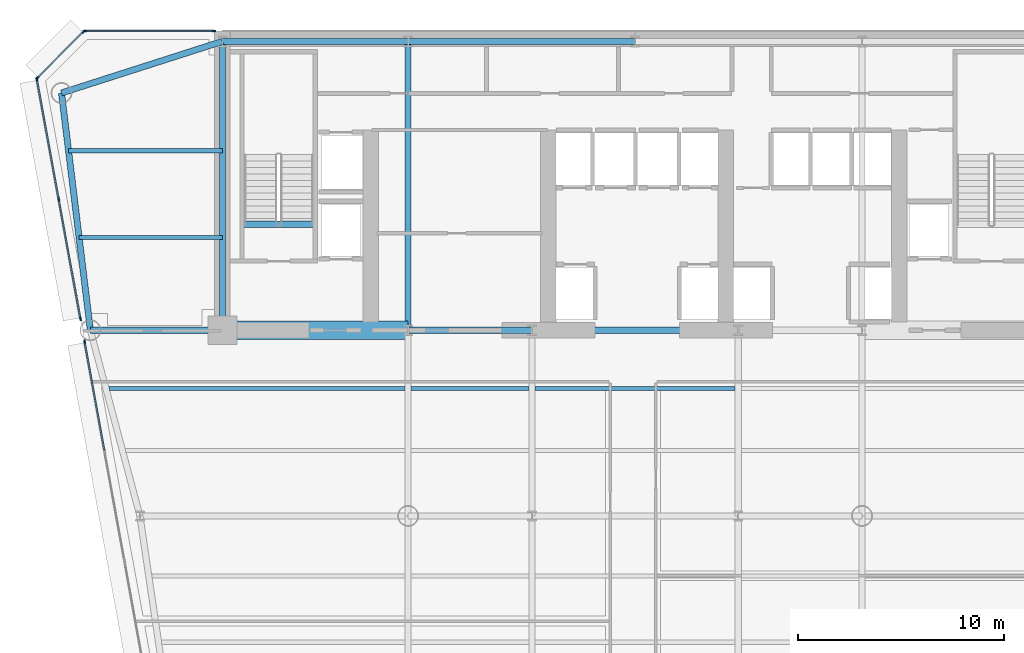
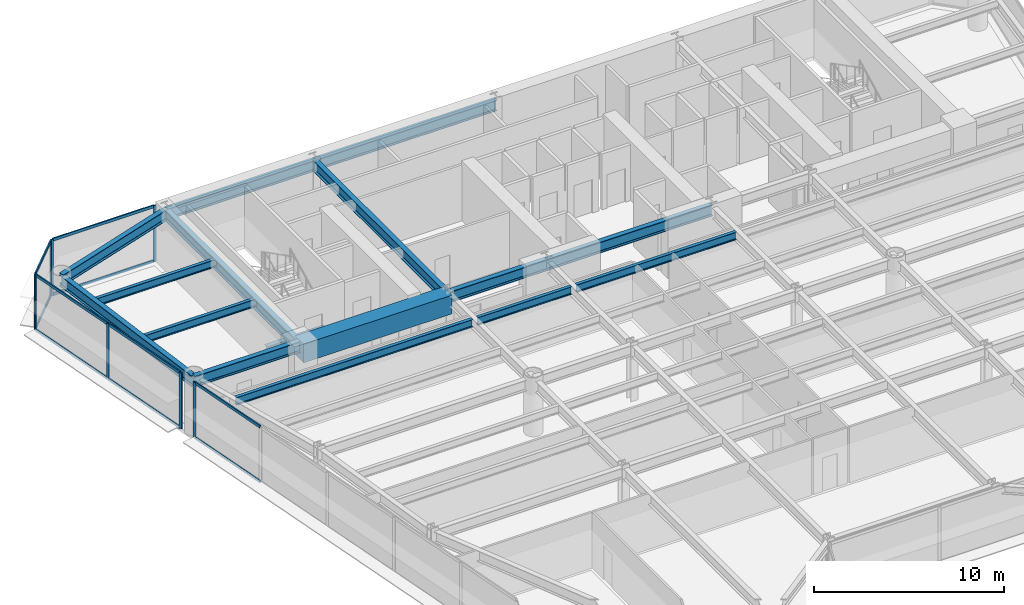
# One storey, part 5 of 14: 18 members, 16 beams, 4 elements without a shape of their own.
"""IFC4 building model written with IfcOpenShell, lengths in metres."""

from ifc_helpers import new_model, si_unit, direction, frame, origin, origin_2d, place, context, subcontext, project, spatial, rectangle, i_section, extrude, source, transform, mapped, material, layer, layer_set, material_profile, profile_set, type_object, element, aggregate, save


model = new_model("IFC4")

# Units and contexts
model_context = context("Model", 3, precision=1e-05, world=origin(), true_north=direction((0.0, 1.0)))
body_context = subcontext(model_context, "Body", "Model", "MODEL_VIEW")
ifc_project = project(units=[si_unit("LENGTHUNIT", "METRE"), si_unit("AREAUNIT", "SQUARE_METRE"), si_unit("VOLUMEUNIT", "CUBIC_METRE"), si_unit("PLANEANGLEUNIT", "RADIAN"), si_unit("MASSUNIT", "GRAM", prefix="KILO")], contexts=[model_context])

# Site, building, storey
site_placement = place(None, origin())
site = spatial("IfcSite", under=ifc_project, at=site_placement, CompositionType="ELEMENT")
building_placement = place(site_placement, origin())
building = spatial("IfcBuilding", under=site, at=building_placement, Name="Vaeldorn Concourse Tower", CompositionType="ELEMENT")
storey_placement = place(building_placement, frame((0.0, 0.0, 118.60009765625)))
storey = spatial("IfcBuildingStorey", under=building, at=storey_placement, Name="L30", CompositionType="ELEMENT", Elevation=118.60009765625)

# Beams
ifc_material_1 = material(Name="Concrete C60/75", Category="concrete")
ifc_material_profile_1 = material_profile(ifc_material_1, rectangle(XDim=0.89990234375, YDim=1.199951171875, at=origin_2d()), Name="RC 900x1200")
ifc_profile_set_1 = profile_set([ifc_material_profile_1], Name="Concrete C60/75")
beam_type_1 = type_object("IfcBeamType", Name="BM-CB-RC900", PredefinedType="BEAM", material=ifc_profile_set_1)
shared_shape_1 = source(origin(), body_context, "Body", "SweptSolid", [
    extrude(rectangle(XDim=0.89990234375, YDim=1.199951171875, at=origin_2d()), origin(), (0.0, 0.0, 1.0), 9.0),
])
beam_1_placement = place(storey_placement, frame((14.0, 36.5, 2.97998046875), z_axis=(1.0, 0.0, 0.0), x_axis=(0.0, 1.0, 0.0)))
element("IfcBeam", 1, at=beam_1_placement, inside=storey, type_object=beam_type_1, Name="Core Coupling Beam L30-1", PredefinedType="BEAM", context=body_context, shape_type="MappedRepresentation", body=[
    mapped(shared_shape_1, transform((0.0, 0.0, 0.0), scale=1.0)),
])
ifc_material_2 = material(Name="Steel S355", Category="steel")
ifc_material_profile_2 = material_profile(ifc_material_2, i_section(OverallWidth=0.300048828125, OverallDepth=0.340087890625, WebThickness=0.011962890625, FlangeThickness=0.021484375, FilletRadius=0.027099609375, at=origin_2d()), Name="HEB 340")
ifc_profile_set_2 = profile_set([ifc_material_profile_2], Name="Steel S355")
beam_type_2 = type_object("IfcBeamType", Name="BM-ST-TRIM", PredefinedType="BEAM", material=ifc_profile_set_2)
shared_shape_2 = source(origin(), body_context, "Body", "SweptSolid", [
    extrude(i_section(OverallWidth=0.300048828125, OverallDepth=0.340087890625, WebThickness=0.011962890625, FlangeThickness=0.021484375, FilletRadius=0.027099609375, at=origin_2d()), origin(), (0.0, 0.0, 1.0), 3.590087890625),
])
beam_2_placement = place(storey_placement, frame((14.929931640625, 41.639892578125, -0.39013671875), z_axis=(1.0, 0.0, 0.0), x_axis=(0.0, 1.0, 0.0)))
element("IfcBeam", 2, at=beam_2_placement, inside=storey, type_object=beam_type_2, Name="Stair Landing Trimmer Beam ST-1 L30", PredefinedType="BEAM", context=body_context, shape_type="MappedRepresentation", body=[
    mapped(shared_shape_2, transform((0.0, 0.0, 0.0), scale=1.0)),
])
ifc_material_profile_3 = material_profile(ifc_material_2, i_section(OverallWidth=0.199951171875, OverallDepth=0.5, WebThickness=0.01025390625, FlangeThickness=0.01611328125, FilletRadius=0.02099609375, at=origin_2d()), Name="IPE 500")
ifc_profile_set_3 = profile_set([ifc_material_profile_3], Name="Steel S355")
beam_type_3 = type_object("IfcBeamType", Name="BM-JS-IPE500", PredefinedType="JOIST", material=ifc_profile_set_3)
shared_shape_3 = source(origin(), body_context, "Body", "SweptSolid", [
    extrude(i_section(OverallWidth=0.199951171875, OverallDepth=0.5, WebThickness=0.01025390625, FlangeThickness=0.01611328125, FilletRadius=0.02099609375, at=origin_2d()), origin(), (0.0, 0.0, 1.0), 5.7001953125),
])
beam_3_placement = place(storey_placement, frame((23.14990234375, 33.679931640625, 3.329833984375), z_axis=(1.0, 0.0, 0.0), x_axis=(0.0, 1.0, 0.0)))
element("IfcBeam", 3, at=beam_3_placement, inside=storey, type_object=beam_type_3, Name="Beam JS-L30-W2-336", PredefinedType="JOIST", context=body_context, shape_type="MappedRepresentation", body=[
    mapped(shared_shape_3, transform((0.0, 0.0, 0.0), scale=1.0)),
])
shared_shape_4 = source(origin(), body_context, "Body", "SweptSolid", [
    extrude(i_section(OverallWidth=0.199951171875, OverallDepth=0.5, WebThickness=0.01025390625, FlangeThickness=0.01611328125, FilletRadius=0.02099609375, at=origin_2d()), origin(), (0.0, 0.0, 1.0), 9.7001953125),
])
beam_4_placement = place(storey_placement, frame((29.14990234375, 33.679931640625, 3.329833984375), z_axis=(1.0, 0.0, 0.0), x_axis=(0.0, 1.0, 0.0)))
element("IfcBeam", 4, at=beam_4_placement, inside=storey, type_object=beam_type_3, Name="Beam JS-L30-C-336", PredefinedType="JOIST", context=body_context, shape_type="MappedRepresentation", body=[
    mapped(shared_shape_4, transform((0.0, 0.0, 0.0), scale=1.0)),
])
shared_shape_5 = source(origin(), body_context, "Body", "SweptSolid", [
    extrude(i_section(OverallWidth=0.199951171875, OverallDepth=0.5, WebThickness=0.01025390625, FlangeThickness=0.01611328125, FilletRadius=0.02099609375, at=origin_2d()), origin(), (0.0, 0.0, 1.0), 6.94775390625),
])
beam_5_placement = place(storey_placement, frame((7.05224609375, 41.0, 3.329833984375), z_axis=(1.0, 0.0, 0.0), x_axis=(0.0, 1.0, 0.0)))
element("IfcBeam", 5, at=beam_5_placement, inside=storey, type_object=beam_type_3, Name="Beam JS-L30-NW-410", PredefinedType="JOIST", context=body_context, shape_type="MappedRepresentation", body=[
    mapped(shared_shape_5, transform((0.0, 0.0, 0.0), scale=1.0)),
])
shared_shape_6 = source(origin(), body_context, "Body", "SweptSolid", [
    extrude(i_section(OverallWidth=0.199951171875, OverallDepth=0.5, WebThickness=0.01025390625, FlangeThickness=0.01611328125, FilletRadius=0.02099609375, at=origin_2d()), origin(), (0.0, 0.0, 1.0), 7.458984375),
])
beam_6_placement = place(storey_placement, frame((6.541015625, 45.199951171875, 3.329833984375), z_axis=(1.0, 0.0, 0.0), x_axis=(0.0, 1.0, 0.0)))
element("IfcBeam", 6, at=beam_6_placement, inside=storey, type_object=beam_type_3, Name="Beam JS-L30-NW-452", PredefinedType="JOIST", context=body_context, shape_type="MappedRepresentation", body=[
    mapped(shared_shape_6, transform((0.0, 0.0, 0.0), scale=1.0)),
])
shared_shape_7 = source(origin(), body_context, "Body", "SweptSolid", [
    extrude(i_section(OverallWidth=0.199951171875, OverallDepth=0.5, WebThickness=0.01025390625, FlangeThickness=0.01611328125, FilletRadius=0.02099609375, at=origin_2d()), origin(), (0.0, 0.0, 1.0), 14.34814453125),
])
beam_7_placement = place(storey_placement, frame((8.501953125, 33.679931640625, 3.329833984375), z_axis=(1.0, 0.0, 0.0), x_axis=(0.0, 1.0, 0.0)))
element("IfcBeam", 7, at=beam_7_placement, inside=storey, type_object=beam_type_3, Name="Beam JS-L30-W1-336", PredefinedType="JOIST", context=body_context, shape_type="MappedRepresentation", body=[
    mapped(shared_shape_7, transform((0.0, 0.0, 0.0), scale=1.0)),
])
ifc_material_profile_4 = material_profile(ifc_material_2, i_section(OverallWidth=0.300048828125, OverallDepth=0.699951171875, WebThickness=0.01708984375, FlangeThickness=0.031982421875, FilletRadius=0.027099609375, at=origin_2d()), Name="HEB 700")
ifc_profile_set_4 = profile_set([ifc_material_profile_4], Name="Steel S355")
beam_type_4 = type_object("IfcBeamType", Name="BM-PG-HEB700", PredefinedType="BEAM", material=ifc_profile_set_4)
shared_shape_8 = source(origin(), body_context, "Body", "SweptSolid", [
    extrude(i_section(OverallWidth=0.300048828125, OverallDepth=0.699951171875, WebThickness=0.01708984375, FlangeThickness=0.031982421875, FilletRadius=0.027099609375, at=origin_2d()), origin(), (0.0, 0.0, 1.0), 6.0),
])
beam_8_placement = place(storey_placement, frame((23.0, 36.5, 3.22998046875), z_axis=(1.0, 0.0, 0.0), x_axis=(0.0, 1.0, 0.0)))
element("IfcBeam", 8, at=beam_8_placement, inside=storey, type_object=beam_type_4, Name="Beam BM-L30-C-FC2-C-FC3", PredefinedType="BEAM", context=body_context, shape_type="MappedRepresentation", body=[
    mapped(shared_shape_8, transform((0.0, 0.0, 0.0), scale=1.0)),
])
shared_shape_9 = source(origin(), body_context, "Body", "SweptSolid", [
    extrude(i_section(OverallWidth=0.300048828125, OverallDepth=0.699951171875, WebThickness=0.01708984375, FlangeThickness=0.031982421875, FilletRadius=0.027099609375, at=origin_2d()), origin(), (0.0, 0.0, 1.0), 10.0),
])
beam_9_placement = place(storey_placement, frame((29.0, 36.5, 3.22998046875), z_axis=(1.0, 0.0, 0.0), x_axis=(0.0, 1.0, 0.0)))
element("IfcBeam", 9, at=beam_9_placement, inside=storey, type_object=beam_type_4, Name="Beam BM-L30-C-FC3-C-FC4", PredefinedType="BEAM", context=body_context, shape_type="MappedRepresentation", body=[
    mapped(shared_shape_9, transform((0.0, 0.0, 0.0), scale=1.0)),
])
shared_shape_10 = source(origin(), body_context, "Body", "SweptSolid", [
    extrude(i_section(OverallWidth=0.300048828125, OverallDepth=0.699951171875, WebThickness=0.01708984375, FlangeThickness=0.031982421875, FilletRadius=0.027099609375, at=origin_2d()), origin(), (0.0, 0.0, 1.0), 9.0),
])
beam_10_placement = place(storey_placement, frame((14.0, 50.5, 3.22998046875), z_axis=(1.0, 0.0, 0.0), x_axis=(0.0, 1.0, 0.0)))
element("IfcBeam", 10, at=beam_10_placement, inside=storey, type_object=beam_type_4, Name="Beam BM-L30-C-HC1-C-HC2", PredefinedType="BEAM", context=body_context, shape_type="MappedRepresentation", body=[
    mapped(shared_shape_10, transform((0.0, 0.0, 0.0), scale=1.0)),
])
shared_shape_11 = source(origin(), body_context, "Body", "SweptSolid", [
    extrude(i_section(OverallWidth=0.300048828125, OverallDepth=0.699951171875, WebThickness=0.01708984375, FlangeThickness=0.031982421875, FilletRadius=0.027099609375, at=origin_2d()), origin(), (0.0, 0.0, 1.0), 11.0),
])
beam_11_placement = place(storey_placement, frame((23.0, 50.5, 3.22998046875), z_axis=(1.0, 0.0, 0.0), x_axis=(0.0, 1.0, 0.0)))
element("IfcBeam", 11, at=beam_11_placement, inside=storey, type_object=beam_type_4, Name="Beam BM-L30-C-HC2-C-HC3", PredefinedType="BEAM", context=body_context, shape_type="MappedRepresentation", body=[
    mapped(shared_shape_11, transform((0.0, 0.0, 0.0), scale=1.0)),
])
shared_shape_12 = source(origin(), body_context, "Body", "SweptSolid", [
    extrude(i_section(OverallWidth=0.300048828125, OverallDepth=0.699951171875, WebThickness=0.01708984375, FlangeThickness=0.031982421875, FilletRadius=0.027099609375, at=origin_2d()), origin(), (0.0, 0.0, 1.0), 14.0),
])
for number, where, z_axis, x_axis, name in (
    (12, (14.0, 36.5, 3.22998046875), (0.0, 1.0, 0.0), (-1.0, 0.0, 0.0), "Beam BM-L30-C-FC1-C-HC1"),
    (13, (23.0, 36.5, 3.22998046875), (0.0, 1.0, 0.0), (-1.0, 0.0, 0.0), "Beam BM-L30-C-FC2-C-HC2"),
):
    element("IfcBeam", number, at=place(storey_placement, frame(where, z_axis=z_axis, x_axis=x_axis)), inside=storey, type_object=beam_type_4, Name=name, PredefinedType="BEAM", context=body_context, shape_type="MappedRepresentation", body=[
        mapped(shared_shape_12, transform((0.0, 0.0, 0.0), scale=1.0)),
    ])
shared_shape_13 = source(origin(), body_context, "Body", "SweptSolid", [
    extrude(i_section(OverallWidth=0.300048828125, OverallDepth=0.699951171875, WebThickness=0.01708984375, FlangeThickness=0.031982421875, FilletRadius=0.027099609375, at=origin_2d()), origin(), (0.0, 0.0, 1.0), 8.19091796875),
])
beam_12_placement = place(storey_placement, frame((6.199951171875, 48.0, 3.22998046875), z_axis=(0.952282843383, 0.305216949396, 0.0), x_axis=(-0.305216949396, 0.952282843383, 0.0)))
element("IfcBeam", 14, at=beam_12_placement, inside=storey, type_object=beam_type_4, Name="Beam BM-L30-C-NW1-C-HC1", PredefinedType="BEAM", context=body_context, shape_type="MappedRepresentation", body=[
    mapped(shared_shape_13, transform((0.0, 0.0, 0.0), scale=1.0)),
])
shared_shape_14 = source(origin(), body_context, "Body", "SweptSolid", [
    extrude(i_section(OverallWidth=0.300048828125, OverallDepth=0.699951171875, WebThickness=0.01708984375, FlangeThickness=0.031982421875, FilletRadius=0.027099609375, at=origin_2d()), origin(), (0.0, 0.0, 1.0), 11.5849609375),
])
beam_13_placement = place(storey_placement, frame((6.199951171875, 48.0, 3.22998046875), z_axis=(0.120859382899, -0.992669637677, 0.0), x_axis=(0.992669637677, 0.120859382899, 0.0)))
element("IfcBeam", 15, at=beam_13_placement, inside=storey, type_object=beam_type_4, Name="Beam BM-L30-C-NW1-C-NW2", PredefinedType="BEAM", context=body_context, shape_type="MappedRepresentation", body=[
    mapped(shared_shape_14, transform((0.0, 0.0, 0.0), scale=1.0)),
])
shared_shape_15 = source(origin(), body_context, "Body", "SweptSolid", [
    extrude(i_section(OverallWidth=0.300048828125, OverallDepth=0.699951171875, WebThickness=0.01708984375, FlangeThickness=0.031982421875, FilletRadius=0.027099609375, at=origin_2d()), origin(), (0.0, 0.0, 1.0), 6.39990234375),
])
beam_14_placement = place(storey_placement, frame((7.60009765625, 36.5, 3.22998046875), z_axis=(1.0, 0.0, 0.0), x_axis=(0.0, 1.0, 0.0)))
element("IfcBeam", 16, at=beam_14_placement, inside=storey, type_object=beam_type_4, Name="Beam BM-L30-C-NW2-C-FC1", PredefinedType="BEAM", context=body_context, shape_type="MappedRepresentation", body=[
    mapped(shared_shape_15, transform((0.0, 0.0, 0.0), scale=1.0)),
])

# Curtain wall, members
ifc_material_3 = material(Name="Anodised Bronze Aluminium", Category="aluminium")
ifc_layer = layer(ifc_material_3, 0.199951171875)
ifc_layer_set = layer_set([ifc_layer], Name="Anodised Bronze Aluminium")
curtain_wall_type = type_object("IfcCurtainWallType", Name="CW-SYS-02", PredefinedType="NOTDEFINED", material=ifc_layer_set)
curtain_wall_1_placement = place(storey_placement, origin())
curtain_wall_1 = element("IfcCurtainWall", 17, at=curtain_wall_1_placement, inside=storey, type_object=curtain_wall_type, Name="Unitised Curtain Wall CW-L30-E10-1", PredefinedType="NOTDEFINED")
ifc_material_profile_5 = material_profile(ifc_material_3, rectangle(XDim=0.074951171875, YDim=0.179931640625, at=origin_2d()), Name="CWT 75x180")
ifc_profile_set_5 = profile_set([ifc_material_profile_5], Name="Anodised Bronze Aluminium")
member_type_1 = type_object("IfcMemberType", Name="CWT-BRONZE-180", PredefinedType="USERDEFINED", material=ifc_profile_set_5)
shared_shape_16 = source(origin(), body_context, "Body", "SweptSolid", [
    extrude(rectangle(XDim=0.074951171875, YDim=0.179931640625, at=origin_2d()), origin(), (0.0, 0.0, 1.0), 3.10302734375),
])
member_1_placement = place(storey_placement, frame((7.2470703125, 50.947021484375, 0.037353515625), z_axis=(-0.707106781187, -0.707106781187, 0.0), x_axis=(0.707106781187, -0.707106781187, 0.0)))
member_1 = element("IfcMember", 18, at=member_1_placement, type_object=member_type_1, Name="CW-02 transom 1.1", ObjectType="TRANSOM", PredefinedType="USERDEFINED", context=body_context, shape_type="MappedRepresentation", body=[
    mapped(shared_shape_16, transform((0.0, 0.0, 0.0), scale=1.0)),
])
member_2_placement = place(storey_placement, frame((7.2470703125, 50.947021484375, 3.54248046875), z_axis=(-0.707106781187, -0.707106781187, 0.0), x_axis=(0.707106781187, -0.707106781187, 0.0)))
member_2 = element("IfcMember", 19, at=member_2_placement, type_object=member_type_1, Name="CW-02 transom 1.2", ObjectType="TRANSOM", PredefinedType="USERDEFINED", context=body_context, shape_type="MappedRepresentation", body=[
    mapped(shared_shape_16, transform((0.0, 0.0, 0.0), scale=1.0)),
])

curtain_wall_2_placement = place(storey_placement, origin())
curtain_wall_2 = element("IfcCurtainWall", 20, at=curtain_wall_2_placement, inside=storey, type_object=curtain_wall_type, Name="Unitised Curtain Wall CW-L30-E09-2", PredefinedType="NOTDEFINED")
shared_shape_17 = source(origin(), body_context, "Body", "SweptSolid", [
    extrude(rectangle(XDim=0.074951171875, YDim=0.179931640625, at=origin_2d()), origin(), (0.0, 0.0, 1.0), 6.179931640625),
])
member_3_placement = place(storey_placement, frame((13.554931640625, 51.0, 0.037353515625), z_axis=(-1.0, 0.0, 0.0), x_axis=(0.0, -1.0, 0.0)))
member_3 = element("IfcMember", 21, at=member_3_placement, type_object=member_type_1, Name="CW-02 transom 1.1", ObjectType="TRANSOM", PredefinedType="USERDEFINED", context=body_context, shape_type="MappedRepresentation", body=[
    mapped(shared_shape_17, transform((0.0, 0.0, 0.0), scale=1.0)),
])
member_4_placement = place(storey_placement, frame((13.554931640625, 51.0, 3.54248046875), z_axis=(-1.0, 0.0, 0.0), x_axis=(0.0, -1.0, 0.0)))
member_4 = element("IfcMember", 22, at=member_4_placement, type_object=member_type_1, Name="CW-02 transom 1.2", ObjectType="TRANSOM", PredefinedType="USERDEFINED", context=body_context, shape_type="MappedRepresentation", body=[
    mapped(shared_shape_17, transform((0.0, 0.0, 0.0), scale=1.0)),
])
ifc_material_profile_6 = material_profile(ifc_material_3, rectangle(XDim=0.074951171875, YDim=0.18994140625, at=origin_2d()), Name="CWM 75x190")
ifc_profile_set_6 = profile_set([ifc_material_profile_6], Name="Anodised Bronze Aluminium")
member_type_2 = type_object("IfcMemberType", Name="CWM-BRONZE-190", PredefinedType="MULLION", material=ifc_profile_set_6)
shared_shape_18 = source(origin(), body_context, "Body", "SweptSolid", [
    extrude(rectangle(XDim=0.074951171875, YDim=0.18994140625, at=origin_2d()), origin(), (0.0, 0.0, 1.0), 3.579833984375),
])
member_5_placement = place(storey_placement, frame((13.592529296875, 51.0, 0.0), z_axis=(0.0, 0.0, 1.0), x_axis=(0.0, -1.0, 0.0)))
member_5 = element("IfcMember", 23, at=member_5_placement, type_object=member_type_2, Name="CW-02 mullion 1", PredefinedType="MULLION", context=body_context, shape_type="MappedRepresentation", body=[
    mapped(shared_shape_18, transform((0.0, 0.0, 0.0), scale=1.0)),
])
member_6_placement = place(storey_placement, frame((7.33740234375, 51.0, 0.0), z_axis=(0.0, 0.0, 1.0), x_axis=(0.0, -1.0, 0.0)))
member_6 = element("IfcMember", 24, at=member_6_placement, type_object=member_type_2, Name="CW-02 mullion 2", PredefinedType="MULLION", context=body_context, shape_type="MappedRepresentation", body=[
    mapped(shared_shape_18, transform((0.0, 0.0, 0.0), scale=1.0)),
])
aggregate(curtain_wall_2, [member_5, member_6, member_3, member_4])

# Member
member_7_placement = place(storey_placement, frame((7.2734375, 50.973388671875, 0.0), z_axis=(0.0, 0.0, 1.0), x_axis=(0.707106781187, -0.707106781187, 0.0)))
member_7 = element("IfcMember", 25, at=member_7_placement, type_object=member_type_2, Name="CW-02 mullion 1", PredefinedType="MULLION", context=body_context, shape_type="MappedRepresentation", body=[
    mapped(shared_shape_18, transform((0.0, 0.0, 0.0), scale=1.0)),
])

member_8_placement = place(storey_placement, frame((5.026611328125, 48.7265625, 0.0), z_axis=(0.0, 0.0, 1.0), x_axis=(0.707106781187, -0.707106781187, 0.0)))
member_8 = element("IfcMember", 26, at=member_8_placement, type_object=member_type_2, Name="CW-02 mullion 2", PredefinedType="MULLION", context=body_context, shape_type="MappedRepresentation", body=[
    mapped(shared_shape_18, transform((0.0, 0.0, 0.0), scale=1.0)),
])

aggregate(curtain_wall_1, [member_7, member_8, member_1, member_2])

# Curtain wall, members
curtain_wall_3_placement = place(storey_placement, origin())
curtain_wall_3 = element("IfcCurtainWall", 27, at=curtain_wall_3_placement, inside=storey, type_object=curtain_wall_type, Name="Unitised Curtain Wall CW-L30-E11-1", PredefinedType="NOTDEFINED")
member_9_placement = place(storey_placement, frame((5.006591796875, 48.6630859375, 0.0), z_axis=(0.0, 0.0, 1.0), x_axis=(0.983843218663, 0.179032178925, 0.0)))
member_9 = element("IfcMember", 28, at=member_9_placement, type_object=member_type_2, Name="CW-02 mullion 1", PredefinedType="MULLION", context=body_context, shape_type="MappedRepresentation", body=[
    mapped(shared_shape_18, transform((0.0, 0.0, 0.0), scale=1.0)),
])
member_10_placement = place(storey_placement, frame((6.06298828125, 42.85888671875, 0.0), z_axis=(0.0, 0.0, 1.0), x_axis=(0.983843218663, 0.179032178925, 0.0)))
member_10 = element("IfcMember", 29, at=member_10_placement, type_object=member_type_2, Name="CW-02 mullion 2", PredefinedType="MULLION", context=body_context, shape_type="MappedRepresentation", body=[
    mapped(shared_shape_18, transform((0.0, 0.0, 0.0), scale=1.0)),
])
member_11_placement = place(storey_placement, frame((7.119140625, 37.054931640625, 0.0), z_axis=(0.0, 0.0, 1.0), x_axis=(0.983843218663, 0.179032178925, 0.0)))
member_11 = element("IfcMember", 30, at=member_11_placement, type_object=member_type_2, Name="CW-02 mullion 3", PredefinedType="MULLION", context=body_context, shape_type="MappedRepresentation", body=[
    mapped(shared_shape_18, transform((0.0, 0.0, 0.0), scale=1.0)),
])

curtain_wall_4_placement = place(storey_placement, origin())
curtain_wall_4 = element("IfcCurtainWall", 31, at=curtain_wall_4_placement, inside=storey, type_object=curtain_wall_type, Name="Unitised Curtain Wall CW-L30-E11-2", PredefinedType="NOTDEFINED")
member_12_placement = place(storey_placement, frame((7.321044921875, 35.945068359375, 0.0), z_axis=(0.0, 0.0, 1.0), x_axis=(0.983843539412, 0.179030416291, 0.0)))
member_12 = element("IfcMember", 32, at=member_12_placement, type_object=member_type_2, Name="CW-02 mullion 1", PredefinedType="MULLION", context=body_context, shape_type="MappedRepresentation", body=[
    mapped(shared_shape_18, transform((0.0, 0.0, 0.0), scale=1.0)),
])
shared_shape_19 = source(origin(), body_context, "Body", "SweptSolid", [
    extrude(rectangle(XDim=0.074951171875, YDim=0.179931640625, at=origin_2d()), origin(), (0.0, 0.0, 1.0), 5.309814453125),
])
member_13_placement = place(storey_placement, frame((7.32763671875, 35.908203125, 0.037353515625), z_axis=(0.179039187182, -0.983841943329, 0.0), x_axis=(0.983841943329, 0.179039187182, 0.0)))
member_13 = element("IfcMember", 33, at=member_13_placement, type_object=member_type_1, Name="CW-02 transom 1.1", ObjectType="TRANSOM", PredefinedType="USERDEFINED", context=body_context, shape_type="MappedRepresentation", body=[
    mapped(shared_shape_19, transform((0.0, 0.0, 0.0), scale=1.0)),
])
member_14_placement = place(storey_placement, frame((7.32763671875, 35.908203125, 3.54248046875), z_axis=(0.179039187182, -0.983841943329, 0.0), x_axis=(0.983841943329, 0.179039187182, 0.0)))
member_14 = element("IfcMember", 34, at=member_14_placement, type_object=member_type_1, Name="CW-02 transom 1.2", ObjectType="TRANSOM", PredefinedType="USERDEFINED", context=body_context, shape_type="MappedRepresentation", body=[
    mapped(shared_shape_19, transform((0.0, 0.0, 0.0), scale=1.0)),
])
aggregate(curtain_wall_4, [member_12, member_13, member_14])

# Member
shared_shape_20 = source(origin(), body_context, "Body", "SweptSolid", [
    extrude(rectangle(XDim=0.074951171875, YDim=0.179931640625, at=origin_2d()), origin(), (0.0, 0.0, 1.0), 5.82421875),
])
member_15_placement = place(storey_placement, frame((5.013427734375, 48.626220703125, 0.037353515625), z_axis=(0.17902929687, -0.983843743113, 0.0), x_axis=(0.983843743113, 0.17902929687, 0.0)))
member_15 = element("IfcMember", 35, at=member_15_placement, type_object=member_type_1, Name="CW-02 transom 1.1", ObjectType="TRANSOM", PredefinedType="USERDEFINED", context=body_context, shape_type="MappedRepresentation", body=[
    mapped(shared_shape_20, transform((0.0, 0.0, 0.0), scale=1.0)),
])

member_16_placement = place(storey_placement, frame((5.013427734375, 48.626220703125, 3.54248046875), z_axis=(0.17902929687, -0.983843743113, 0.0), x_axis=(0.983843743113, 0.17902929687, 0.0)))
member_16 = element("IfcMember", 36, at=member_16_placement, type_object=member_type_1, Name="CW-02 transom 1.2", ObjectType="TRANSOM", PredefinedType="USERDEFINED", context=body_context, shape_type="MappedRepresentation", body=[
    mapped(shared_shape_20, transform((0.0, 0.0, 0.0), scale=1.0)),
])

member_17_placement = place(storey_placement, frame((6.069580078125, 42.822021484375, 0.037353515625), z_axis=(0.17902929687, -0.983843743113, 0.0), x_axis=(0.983843743113, 0.17902929687, 0.0)))
member_17 = element("IfcMember", 37, at=member_17_placement, type_object=member_type_1, Name="CW-02 transom 2.1", ObjectType="TRANSOM", PredefinedType="USERDEFINED", context=body_context, shape_type="MappedRepresentation", body=[
    mapped(shared_shape_20, transform((0.0, 0.0, 0.0), scale=1.0)),
])

member_18_placement = place(storey_placement, frame((6.069580078125, 42.822021484375, 3.54248046875), z_axis=(0.17902929687, -0.983843743113, 0.0), x_axis=(0.983843743113, 0.17902929687, 0.0)))
member_18 = element("IfcMember", 38, at=member_18_placement, type_object=member_type_1, Name="CW-02 transom 2.2", ObjectType="TRANSOM", PredefinedType="USERDEFINED", context=body_context, shape_type="MappedRepresentation", body=[
    mapped(shared_shape_20, transform((0.0, 0.0, 0.0), scale=1.0)),
])

aggregate(curtain_wall_3, [member_9, member_10, member_11, member_15, member_16, member_17, member_18])

save(model, "model.ifc")
